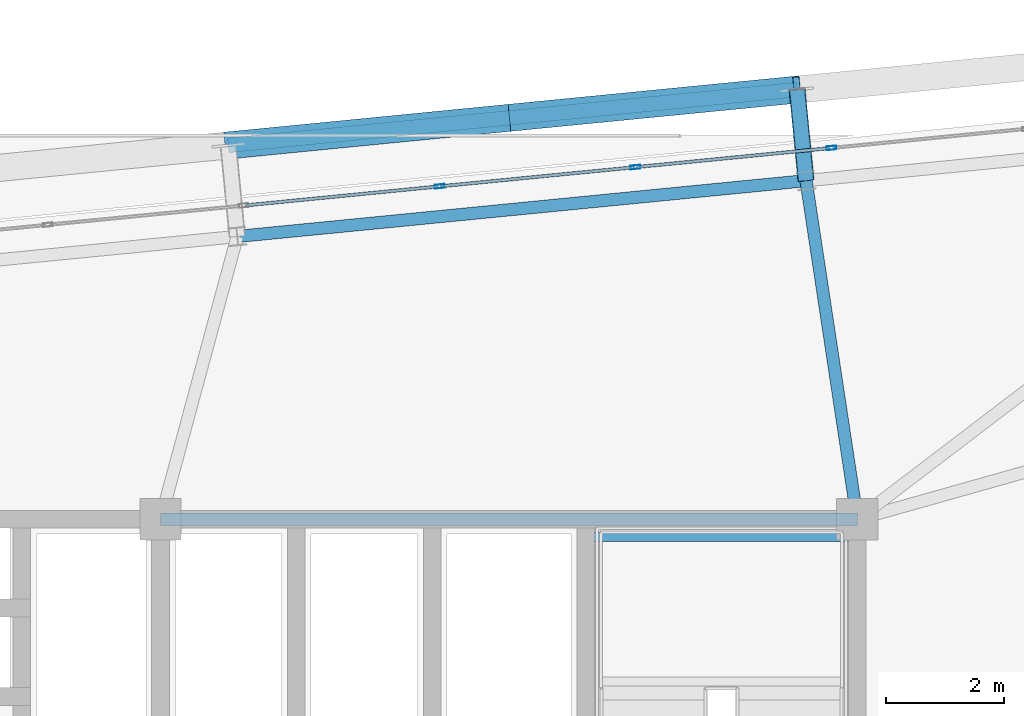
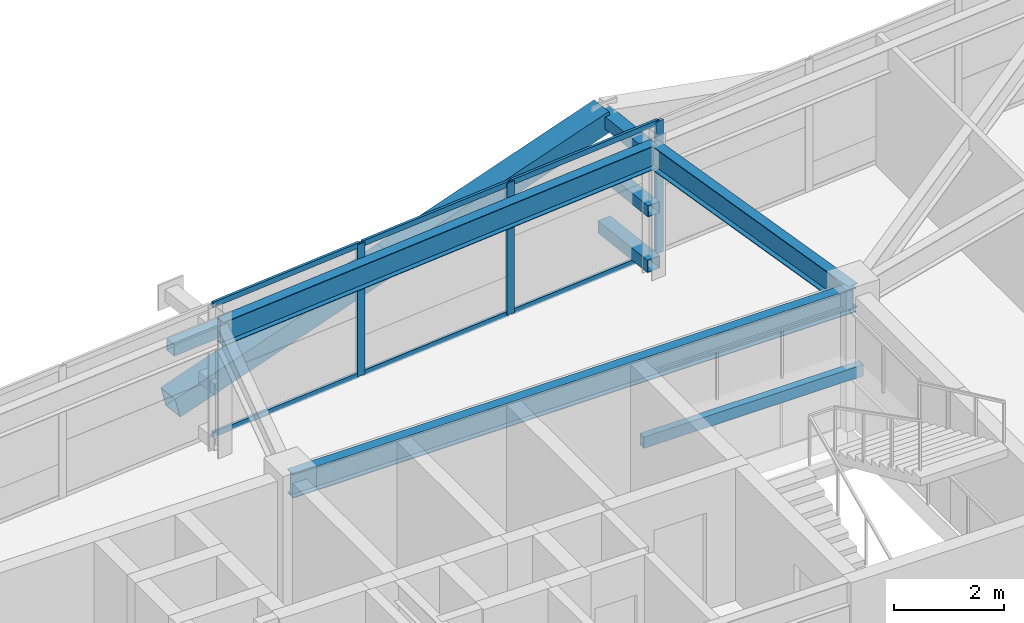
# One storey, part 30 of 51: 15 members, 4 beams, 1 element without a shape of its own.
"""IFC4 building model written with IfcOpenShell, lengths in metres."""

from ifc_helpers import new_model, si_unit, direction, frame, origin, origin_2d, place, context, subcontext, project, spatial, hollow_rectangle, i_section, extrude, source, transform, mapped, material, layer, layer_set, material_profile, profile_set, type_object, element, aggregate, save


model = new_model("IFC4")

# Units and contexts
model_context = context("Model", 3, precision=1e-05, world=origin(), true_north=direction((0.0, 1.0)))
body_context = subcontext(model_context, "Body", "Model", "MODEL_VIEW")
ifc_project = project(units=[si_unit("LENGTHUNIT", "METRE"), si_unit("AREAUNIT", "SQUARE_METRE"), si_unit("VOLUMEUNIT", "CUBIC_METRE"), si_unit("PLANEANGLEUNIT", "RADIAN"), si_unit("MASSUNIT", "GRAM", prefix="KILO")], contexts=[model_context])

# Site, building, storey
site_placement = place(None, origin())
site = spatial("IfcSite", under=ifc_project, at=site_placement, CompositionType="ELEMENT")
building_placement = place(site_placement, origin())
building = spatial("IfcBuilding", under=site, at=building_placement, Name="Taldren Reach Tower", CompositionType="ELEMENT")
storey_placement = place(building_placement, frame((0.0, 0.0, 65.10009765625)))
storey = spatial("IfcBuildingStorey", under=building, at=storey_placement, Name="L19", CompositionType="ELEMENT", Elevation=65.10009765625)

# Beam
ifc_material_1 = material(Name="Steel Gr 350 (350PLUS)", Category="steel")
ifc_material_profile_1 = material_profile(ifc_material_1, i_section(OverallWidth=0.208984375, OverallDepth=0.532958984375, WebThickness=0.01025390625, FlangeThickness=0.015625, at=origin_2d()), Name="530UB92.4")
ifc_profile_set_1 = profile_set([ifc_material_profile_1], Name="Steel Gr 350 (350PLUS)")
beam_type_1 = type_object("IfcBeamType", Name="BM-UB530A", PredefinedType="BEAM", material=ifc_profile_set_1)
shared_shape_1 = source(origin(), body_context, "Body", "SweptSolid", [
    extrude(i_section(OverallWidth=0.208984375, OverallDepth=0.532958984375, WebThickness=0.01025390625, FlangeThickness=0.015625, at=origin_2d()), origin(), (0.0, 0.0, 1.0), 11.800048828125),
])
beam_1_placement = place(storey_placement, frame((39.199951171875, 32.0, 2.663330078125), z_axis=(1.0, 0.0, 0.0), x_axis=(0.0, 1.0, 0.0)))
element("IfcBeam", 1, at=beam_1_placement, inside=storey, type_object=beam_type_1, Name="Core-spine girder L19-SP06", PredefinedType="BEAM", context=body_context, shape_type="MappedRepresentation", body=[
    mapped(shared_shape_1, transform((0.0, 0.0, 0.0), scale=1.0)),
])

# Members
ifc_material_2 = material(Name="Steel Gr 450 (C450L0)", Category="steel")
ifc_material_profile_2 = material_profile(ifc_material_2, hollow_rectangle(XDim=0.27490234375, YDim=0.27490234375, WallThickness=0.00927734375, at=origin_2d()), Name="275x275x9.3SHS")
ifc_profile_set_2 = profile_set([ifc_material_profile_2], Name="Steel Gr 450 (C450L0)")
member_type_1 = type_object("IfcMemberType", Name="MB-TIE273", PredefinedType="STRUT", material=ifc_profile_set_2)
shared_shape_2 = source(origin(), body_context, "Body", "SweptSolid", [
    extrude(hollow_rectangle(XDim=0.27490234375, YDim=0.27490234375, WallThickness=0.00927734375, at=origin_2d()), origin(), (0.0, 0.0, 1.0), 1.5498046875),
])
for number, where, z_axis, x_axis, name in (
    (2, (50.132080078125, 37.7353515625, 2.64990234375), (-0.097663201064, 0.995219523099, 0.0), (-0.995219523099, -0.097663201064, 0.0), "Exoskeleton diaphragm tie strut B2-N5 L19"),
    (3, (50.132080078125, 37.7353515625, 0.219970703125), (-0.097663201064, 0.995219523099, 0.0), (-0.995219523099, -0.097663201064, 0.0), "Exoskeleton base diaphragm tie strut B2-N5 L19"),
):
    element("IfcMember", number, at=place(storey_placement, frame(where, z_axis=z_axis, x_axis=x_axis)), inside=storey, type_object=member_type_1, Name=name, PredefinedType="STRUT", context=body_context, shape_type="MappedRepresentation", body=[
        mapped(shared_shape_2, transform((0.0, 0.0, 0.0), scale=1.0)),
    ])
ifc_material_3 = material(Name="Steel Gr 350 (C350L0)", Category="steel")
ifc_material_profile_3 = material_profile(ifc_material_3, hollow_rectangle(XDim=0.25, YDim=0.25, WallThickness=0.010009765625, at=origin_2d()), Name="250x250x10.0SHS")
ifc_profile_set_3 = profile_set([ifc_material_profile_3], Name="Steel Gr 350 (C350L0)")
member_type_2 = type_object("IfcMemberType", Name="MB-POST250", PredefinedType="POST", material=ifc_profile_set_3)
shared_shape_3 = source(origin(), body_context, "Body", "SweptSolid", [
    extrude(hollow_rectangle(XDim=0.25, YDim=0.25, WallThickness=0.010009765625, at=origin_2d()), origin(), (0.0, 0.0, 1.0), 1.5498046875),
])
member_1_placement = place(storey_placement, frame((50.132080078125, 37.7353515625, 1.434814453125), z_axis=(-0.097663201064, 0.995219523099, 0.0), x_axis=(-0.995219523099, -0.097663201064, 0.0)))
element("IfcMember", 4, at=member_1_placement, inside=storey, type_object=member_type_2, Name="Exoskeleton mid-tier diaphragm tie B2-N5 L19", PredefinedType="POST", context=body_context, shape_type="MappedRepresentation", body=[
    mapped(shared_shape_3, transform((0.0, 0.0, 0.0), scale=1.0)),
])

# Beams
ifc_material_profile_4 = material_profile(ifc_material_1, i_section(OverallWidth=0.208984375, OverallDepth=0.528076171875, WebThickness=0.009521484375, FlangeThickness=0.01318359375, at=origin_2d()), Name="530UB82.0")
ifc_profile_set_4 = profile_set([ifc_material_profile_4], Name="Steel Gr 350 (350PLUS)")
beam_type_2 = type_object("IfcBeamType", Name="SP-UB530B", PredefinedType="SPANDREL", material=ifc_profile_set_4)
shared_shape_4 = source(origin(), body_context, "Body", "SweptSolid", [
    extrude(i_section(OverallWidth=0.208984375, OverallDepth=0.528076171875, WebThickness=0.009521484375, FlangeThickness=0.01318359375, at=origin_2d()), origin(), (0.0, 0.0, 1.0), 9.679931640625),
])
beam_2_placement = place(storey_placement, frame((50.132080078125, 37.7353515625, 2.666015625), z_axis=(-0.995227612658, -0.097580730699, 0.0), x_axis=(0.097580730699, -0.995227612658, 0.0)))
element("IfcBeam", 5, at=beam_2_placement, inside=storey, type_object=beam_type_2, Name="Perimeter spandrel B2 N5-N4 L19", PredefinedType="SPANDREL", context=body_context, shape_type="MappedRepresentation", body=[
    mapped(shared_shape_4, transform((0.0, 0.0, 0.0), scale=1.0)),
])
shared_shape_5 = source(origin(), body_context, "Body", "SweptSolid", [
    extrude(i_section(OverallWidth=0.208984375, OverallDepth=0.532958984375, WebThickness=0.01025390625, FlangeThickness=0.015625, at=origin_2d()), origin(), (0.0, 0.0, 1.0), 5.800537109375),
])
beam_3_placement = place(storey_placement, frame((51.0, 32.0, 2.663330078125), z_axis=(-0.149624592867, 0.988742879221, 0.0), x_axis=(-0.988742879221, -0.149624592867, 0.0)))
element("IfcBeam", 6, at=beam_3_placement, inside=storey, type_object=beam_type_1, Name="Primary floor girder B2-N5 L19", PredefinedType="BEAM", context=body_context, shape_type="MappedRepresentation", body=[
    mapped(shared_shape_5, transform((0.0, 0.0, 0.0), scale=1.0)),
])

# Members
ifc_material_profile_5 = material_profile(ifc_material_2, hollow_rectangle(XDim=0.4599609375, YDim=0.4599609375, WallThickness=0.01611328125, at=origin_2d()), Name="460x460x16.0SHS")
ifc_profile_set_5 = profile_set([ifc_material_profile_5], Name="Steel Gr 450 (C450L0)")
member_type_3 = type_object("IfcMemberType", Name="MB-EXO457", PredefinedType="BRACE", material=ifc_profile_set_5)
shared_shape_6 = source(origin(), body_context, "Body", "SweptSolid", [
    extrude(hollow_rectangle(XDim=0.4599609375, YDim=0.4599609375, WallThickness=0.01611328125, at=origin_2d()), origin(), (0.0, 0.0, 1.0), 4.990234375),
])
for number, where, z_axis, x_axis, name in (
    (7, (40.346923828125, 38.333251953125, 0.219970703125), (0.965282554799, 0.094669120301, 0.243448859234), (-0.097605711627, 0.995225162995, 0.0), "Exoskeleton Diagrid Brace B2-N4 L19"),
    (8, (45.163818359375, 38.8056640625, 1.434814453125), (0.965275526283, 0.094619506732, 0.243496010862), (-0.097555749586, 0.995230061706, 0.0), "Exoskeleton Diagrid Brace B2-N4 L19"),
):
    element("IfcMember", number, at=place(storey_placement, frame(where, z_axis=z_axis, x_axis=x_axis)), inside=storey, type_object=member_type_3, Name=name, PredefinedType="BRACE", context=body_context, shape_type="MappedRepresentation", body=[
        mapped(shared_shape_6, transform((0.0, 0.0, 0.0), scale=1.0)),
    ])
shared_shape_7 = source(origin(), body_context, "Body", "SweptSolid", [
    extrude(hollow_rectangle(XDim=0.25, YDim=0.25, WallThickness=0.010009765625, at=origin_2d()), origin(), (0.0, 0.0, 1.0), 9.679931640625),
])
member_2_placement = place(storey_placement, frame((40.346923828125, 38.333251953125, 1.434814453125), z_axis=(0.995227612658, 0.097580730699, 0.0), x_axis=(-0.097580730699, 0.995227612658, 0.0)))
element("IfcMember", 9, at=member_2_placement, inside=storey, type_object=member_type_2, Name="Exoskeleton mid-height ring chord B2-N4 L19", PredefinedType="POST", context=body_context, shape_type="MappedRepresentation", body=[
    mapped(shared_shape_7, transform((0.0, 0.0, 0.0), scale=1.0)),
])

# Curtain wall, members
ifc_material_4 = material(Name="Aluminium and Low-E Glass Unitised System", Category="aluminium")
ifc_layer = layer(ifc_material_4, 0.159912109375)
ifc_layer_set = layer_set([ifc_layer], Name="Aluminium and Low-E Glass Unitised System")
curtain_wall_type = type_object("IfcCurtainWallType", Name="CW-SYS-3", PredefinedType="NOTDEFINED", material=ifc_layer_set)
curtain_wall_placement = place(storey_placement, origin())
curtain_wall = element("IfcCurtainWall", 10, at=curtain_wall_placement, inside=storey, type_object=curtain_wall_type, Name="Unitised curtain wall CW-L19-N", PredefinedType="NOTDEFINED")
ifc_material_5 = material(Name="Anodised Aluminium 6063-T6", Category="aluminium")
ifc_material_profile_6 = material_profile(ifc_material_5, hollow_rectangle(XDim=0.06494140625, YDim=0.1650390625, WallThickness=0.00390625, at=origin_2d()), Name="ALU-165x65x4RHS")
ifc_profile_set_6 = profile_set([ifc_material_profile_6], Name="Anodised Aluminium 6063-T6")
member_type_4 = type_object("IfcMemberType", Name="CW-MUL-165", PredefinedType="MULLION", material=ifc_profile_set_6)
shared_shape_8 = source(origin(), body_context, "Body", "SweptSolid", [
    extrude(hollow_rectangle(XDim=0.06494140625, YDim=0.1650390625, WallThickness=0.00390625, at=origin_2d()), origin(), (0.0, 0.0, 1.0), 2.929931640625),
])
member_3_placement = place(storey_placement, frame((50.56005859375, 38.289794921875, 0.0), z_axis=(0.0, 0.0, 1.0), x_axis=(0.097582999046, -0.995227390247, 0.0)))
member_3 = element("IfcMember", 11, at=member_3_placement, type_object=member_type_4, Name="CW-3 mullion 4", PredefinedType="MULLION", context=body_context, shape_type="MappedRepresentation", body=[
    mapped(shared_shape_8, transform((0.0, 0.0, 0.0), scale=1.0)),
])
member_4_placement = place(storey_placement, frame((47.242431640625, 37.96435546875, 0.0), z_axis=(0.0, 0.0, 1.0), x_axis=(0.097582999046, -0.995227390247, 0.0)))
member_4 = element("IfcMember", 12, at=member_4_placement, type_object=member_type_4, Name="CW-3 mullion 5", PredefinedType="MULLION", context=body_context, shape_type="MappedRepresentation", body=[
    mapped(shared_shape_8, transform((0.0, 0.0, 0.0), scale=1.0)),
])
member_5_placement = place(storey_placement, frame((43.925048828125, 37.63916015625, 0.0), z_axis=(0.0, 0.0, 1.0), x_axis=(0.097582999046, -0.995227390247, 0.0)))
member_5 = element("IfcMember", 13, at=member_5_placement, type_object=member_type_4, Name="CW-3 mullion 6", PredefinedType="MULLION", context=body_context, shape_type="MappedRepresentation", body=[
    mapped(shared_shape_8, transform((0.0, 0.0, 0.0), scale=1.0)),
])
ifc_material_profile_7 = material_profile(ifc_material_5, hollow_rectangle(XDim=0.054931640625, YDim=0.1201171875, WallThickness=0.0029296875, at=origin_2d()), Name="ALU-120x55x3RHS")
ifc_profile_set_7 = profile_set([ifc_material_profile_7], Name="Anodised Aluminium 6063-T6")
member_type_5 = type_object("IfcMemberType", Name="CW-TRN-135", PredefinedType="USERDEFINED", material=ifc_profile_set_7)
shared_shape_9 = source(origin(), body_context, "Body", "SweptSolid", [
    extrude(hollow_rectangle(XDim=0.054931640625, YDim=0.1201171875, WallThickness=0.0029296875, at=origin_2d()), origin(), (0.0, 0.0, 1.0), 3.268310546875),
])
member_6_placement = place(storey_placement, frame((50.527587890625, 38.28662109375, 0.02734375), z_axis=(-0.995222549564, -0.097632355496, 0.0), x_axis=(0.097632355496, -0.995222549564, 0.0)))
member_6 = element("IfcMember", 14, at=member_6_placement, type_object=member_type_5, Name="CW-3 transom 4.1", ObjectType="TRANSOM", PredefinedType="USERDEFINED", context=body_context, shape_type="MappedRepresentation", body=[
    mapped(shared_shape_9, transform((0.0, 0.0, 0.0), scale=1.0)),
])
member_7_placement = place(storey_placement, frame((50.527587890625, 38.28662109375, 2.90234375), z_axis=(-0.995222549564, -0.097632355496, 0.0), x_axis=(0.097632355496, -0.995222549564, 0.0)))
member_7 = element("IfcMember", 15, at=member_7_placement, type_object=member_type_5, Name="CW-3 transom 4.2", ObjectType="TRANSOM", PredefinedType="USERDEFINED", context=body_context, shape_type="MappedRepresentation", body=[
    mapped(shared_shape_9, transform((0.0, 0.0, 0.0), scale=1.0)),
])
member_8_placement = place(storey_placement, frame((47.210205078125, 37.961181640625, 0.02734375), z_axis=(-0.99522980512, -0.097558367146, 0.0), x_axis=(0.097558367146, -0.99522980512, 0.0)))
member_8 = element("IfcMember", 16, at=member_8_placement, type_object=member_type_5, Name="CW-3 transom 5.1", ObjectType="TRANSOM", PredefinedType="USERDEFINED", context=body_context, shape_type="MappedRepresentation", body=[
    mapped(shared_shape_9, transform((0.0, 0.0, 0.0), scale=1.0)),
])
member_9_placement = place(storey_placement, frame((47.210205078125, 37.961181640625, 2.90234375), z_axis=(-0.99522980512, -0.097558367146, 0.0), x_axis=(0.097558367146, -0.99522980512, 0.0)))
member_9 = element("IfcMember", 17, at=member_9_placement, type_object=member_type_5, Name="CW-3 transom 5.2", ObjectType="TRANSOM", PredefinedType="USERDEFINED", context=body_context, shape_type="MappedRepresentation", body=[
    mapped(shared_shape_9, transform((0.0, 0.0, 0.0), scale=1.0)),
])
member_10_placement = place(storey_placement, frame((43.892822265625, 37.635986328125, 0.02734375), z_axis=(-0.99522980512, -0.097558367146, 0.0), x_axis=(0.097558367146, -0.99522980512, 0.0)))
member_10 = element("IfcMember", 18, at=member_10_placement, type_object=member_type_5, Name="CW-3 transom 6.1", ObjectType="TRANSOM", PredefinedType="USERDEFINED", context=body_context, shape_type="MappedRepresentation", body=[
    mapped(shared_shape_9, transform((0.0, 0.0, 0.0), scale=1.0)),
])
member_11_placement = place(storey_placement, frame((43.892822265625, 37.635986328125, 2.90234375), z_axis=(-0.99522980512, -0.097558367146, 0.0), x_axis=(0.097558367146, -0.99522980512, 0.0)))
member_11 = element("IfcMember", 19, at=member_11_placement, type_object=member_type_5, Name="CW-3 transom 6.2", ObjectType="TRANSOM", PredefinedType="USERDEFINED", context=body_context, shape_type="MappedRepresentation", body=[
    mapped(shared_shape_9, transform((0.0, 0.0, 0.0), scale=1.0)),
])
aggregate(curtain_wall, [member_3, member_4, member_5, member_6, member_7, member_8, member_9, member_10, member_11])

# Beam
ifc_material_profile_8 = material_profile(ifc_material_3, hollow_rectangle(XDim=0.14990234375, YDim=0.25, WallThickness=0.009033203125, at=origin_2d()), Name="250x150x9.0RHS")
ifc_profile_set_8 = profile_set([ifc_material_profile_8], Name="Steel Gr 350 (C350L0)")
beam_type_3 = type_object("IfcBeamType", Name="LN-RHS250", PredefinedType="LINTEL", material=ifc_profile_set_8)
shared_shape_10 = source(origin(), body_context, "Body", "SweptSolid", [
    extrude(hollow_rectangle(XDim=0.14990234375, YDim=0.25, WallThickness=0.009033203125, at=origin_2d()), origin(), (0.0, 0.0, 1.0), 4.60009765625),
])
beam_4_placement = place(storey_placement, frame((46.39990234375, 31.699951171875, 1.27001953125), z_axis=(1.0, 0.0, 0.0), x_axis=(0.0, 1.0, 0.0)))
element("IfcBeam", 20, at=beam_4_placement, inside=storey, type_object=beam_type_3, Name="Stair half-landing support beam ST2-L19-2", PredefinedType="LINTEL", context=body_context, shape_type="MappedRepresentation", body=[
    mapped(shared_shape_10, transform((0.0, 0.0, 0.0), scale=1.0)),
])

save(model, "model.ifc")
